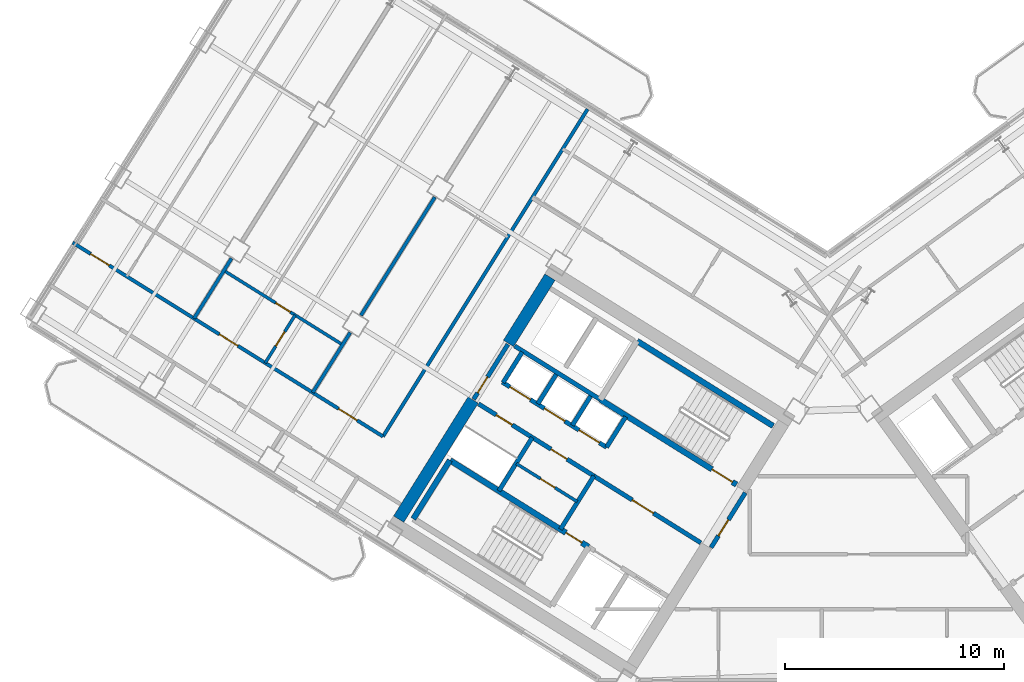
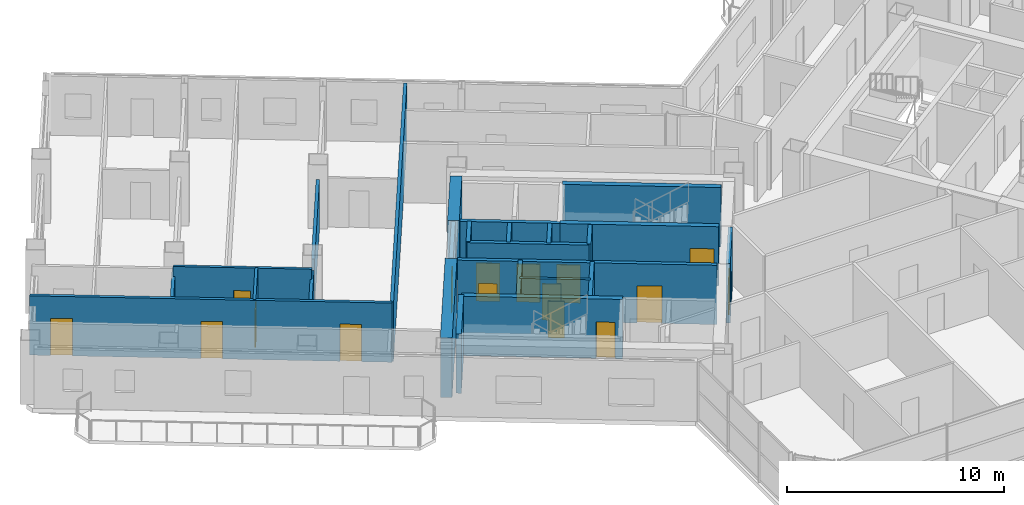
# One storey, part 12 of 21: 26 walls, 16 doors, 16 openings.
"""IFC4 building model written with IfcOpenShell, lengths in metres."""

from ifc_helpers import new_model, si_unit, direction, frame, frame_2d, origin, place, context, subcontext, project, spatial, rectangle, extrude, source, transform, mapped, material, layer, layer_set, type_object, element, fill, save


model = new_model("IFC4")

# Units and contexts
model_context = context("Model", 3, precision=1e-05, world=origin(), true_north=direction((0.0, 1.0)))
body_context = subcontext(model_context, "Body", "Model", "MODEL_VIEW")
ifc_project = project(units=[si_unit("LENGTHUNIT", "METRE"), si_unit("AREAUNIT", "SQUARE_METRE"), si_unit("VOLUMEUNIT", "CUBIC_METRE"), si_unit("PLANEANGLEUNIT", "RADIAN"), si_unit("MASSUNIT", "GRAM", prefix="KILO")], contexts=[model_context])

# Site, building, storey
site_placement = place(None, origin())
site = spatial("IfcSite", under=ifc_project, at=site_placement, CompositionType="ELEMENT")
building_placement = place(site_placement, origin())
building = spatial("IfcBuilding", under=site, at=building_placement, Name="Tlacorven Tower", CompositionType="ELEMENT")
storey_placement = place(building_placement, frame((0.0, 0.0, 105.300048828125)))
storey = spatial("IfcBuildingStorey", under=building, at=storey_placement, Name="L26", CompositionType="ELEMENT", Elevation=105.300048828125)

# Walls
ifc_material_1 = material(Name="Concrete C60/75", Category="concrete")
ifc_layer_1 = layer(ifc_material_1, 0.550048828125)
ifc_layer_set_1 = layer_set([ifc_layer_1], Name="Concrete C60/75")
wall_type_1 = type_object("IfcWallType", Name="WL-COR-550", PredefinedType="SHEAR", material=ifc_layer_set_1)
wall_1_placement = place(storey_placement, frame((29.517333984375, 30.59423828125, 0.0), z_axis=(0.0, 0.0, 1.0), x_axis=(-0.529906864564, -0.848055844204, 0.0)))
element("IfcWall", 1, at=wall_1_placement, inside=storey, type_object=wall_type_1, Name="L26 W core end wall E2.1", PredefinedType="SHEAR", context=body_context, shape_type="SweptSolid", body=[
    extrude(rectangle(XDim=3.5751953125, YDim=0.550048828125, at=frame_2d((1.78759765625, 0.0))), origin(), (0.0, 0.0, 1.0), 3.349853515625),
])
wall_2_placement = place(storey_placement, frame((26.006591796875, 24.975830078125, 0.0), z_axis=(0.0, 0.0, 1.0), x_axis=(-0.529923795287, -0.848045264823, 0.0)))
element("IfcWall", 2, at=wall_2_placement, inside=storey, type_object=wall_type_1, Name="L26 W core end wall E2.2", PredefinedType="SHEAR", context=body_context, shape_type="SweptSolid", body=[
    extrude(rectangle(XDim=6.425048828125, YDim=0.550048828125, at=frame_2d((3.21240234375, 0.0))), origin(), (0.0, 0.0, 1.0), 3.349853515625),
])
ifc_material_2 = material(Name="Gypsum plasterboard acoustic partition", Category="gypsum")
ifc_layer_2 = layer(ifc_material_2, 0.159912109375)
ifc_layer_set_2 = layer_set([ifc_layer_2], Name="Gypsum plasterboard acoustic partition")
wall_type_2 = type_object("IfcWallType", Name="WL-DEM-160", PredefinedType="PARTITIONING", material=ifc_layer_set_2)
wall_3_placement = place(storey_placement, frame((31.238525390625, 38.27392578125, 0.0), z_axis=(0.0, 0.0, 1.0), x_axis=(-0.529918119251, -0.84804881162, 0.0)))
element("IfcWall", 3, at=wall_3_placement, inside=storey, type_object=wall_type_2, Name="L26 partition 52", PredefinedType="PARTITIONING", context=body_context, shape_type="SweptSolid", body=[
    extrude(rectangle(XDim=17.64990234375, YDim=0.159912109375, at=frame_2d((8.824951171875, 0.0))), origin(), (0.0, 0.0, 1.0), 3.33984375),
])

# Wall, openings, doors
wall_4_placement = place(storey_placement, frame((21.885498046875, 23.305908203125, 0.0), z_axis=(0.0, 0.0, 1.0), x_axis=(-0.848052408131, 0.529912363569, 0.0)))
wall_4 = element("IfcWall", 4, at=wall_4_placement, inside=storey, type_object=wall_type_2, Name="L26 Wing W Corridor South Wall", PredefinedType="PARTITIONING", context=body_context, shape_type="SweptSolid", body=[
    extrude(rectangle(XDim=16.72998046875, YDim=0.159912109375, at=frame_2d((8.364990234375, 0.0))), origin(), (0.0, 0.0, 1.0), 3.33984375),
])
opening_1_placement = place(wall_4_placement, frame((1.39501953125, 0.0, 0.0)))
opening_1 = element("IfcOpeningElement", 5, at=opening_1_placement, cuts=wall_4, Name="Opening D11", PredefinedType="OPENING", context=body_context, shape_type="SweptSolid", body=[
    extrude(rectangle(XDim=1.0, YDim=2.10009765625, at=frame_2d((0.5, 1.050048828125))), frame((0.0, 0.08984375, 0.0), z_axis=(0.0, -1.0, 0.0), x_axis=(1.0, 0.0, 0.0)), (0.0, 0.0, 1.0), 0.179931640625),
])
opening_2_placement = place(wall_4_placement, frame((7.820068359375, 0.0, 0.0)))
opening_2 = element("IfcOpeningElement", 6, at=opening_2_placement, cuts=wall_4, Name="Opening D11", PredefinedType="OPENING", context=body_context, shape_type="SweptSolid", body=[
    extrude(rectangle(XDim=1.0, YDim=2.10009765625, at=frame_2d((0.5, 1.050048828125))), frame((0.0, 0.08984375, 0.0), z_axis=(0.0, -1.0, 0.0), x_axis=(1.0, 0.0, 0.0)), (0.0, 0.0, 1.0), 0.179931640625),
])
opening_3_placement = place(wall_4_placement, frame((14.760009765625, 0.0, 0.0)))
opening_3 = element("IfcOpeningElement", 7, at=opening_3_placement, cuts=wall_4, Name="Opening D11", PredefinedType="OPENING", context=body_context, shape_type="SweptSolid", body=[
    extrude(rectangle(XDim=1.0, YDim=2.10009765625, at=frame_2d((0.5, 1.050048828125))), frame((0.0, 0.08984375, 0.0), z_axis=(0.0, -1.0, 0.0), x_axis=(1.0, 0.0, 0.0)), (0.0, 0.0, 1.0), 0.179931640625),
])
ifc_material_3 = material(Name="Fire-rated steel door assembly", Category="steel")
door_type_1 = type_object("IfcDoorType", Name="DR-FLT-FD60-1000", OperationType="NOTDEFINED", PredefinedType="DOOR", material=ifc_material_3)
shared_shape_1 = source(origin(), body_context, "Body", "SweptSolid", [
    extrude(rectangle(XDim=1.0, YDim=2.10009765625, at=frame_2d((0.5, 1.050048828125))), frame((0.0, 0.02490234375, 0.0), z_axis=(0.0, -1.0, 0.0), x_axis=(1.0, 0.0, 0.0)), (0.0, 0.0, 1.0), 0.050048828125),
])
door_1_placement = place(opening_1_placement, origin())
door_1 = element("IfcDoor", 8, at=door_1_placement, inside=storey, type_object=door_type_1, Name="L26 door 027", OperationType="SINGLE_SWING_RIGHT", OverallHeight=2.10009765625, OverallWidth=1.0, PredefinedType="DOOR", context=body_context, shape_type="MappedRepresentation", body=[
    mapped(shared_shape_1, transform((0.0, 0.0, 0.0), scale=1.0)),
])
fill(opening_1, door_1)
door_2_placement = place(opening_2_placement, origin())
door_2 = element("IfcDoor", 9, at=door_2_placement, inside=storey, type_object=door_type_1, Name="L26 door 030", OperationType="SINGLE_SWING_LEFT", OverallHeight=2.10009765625, OverallWidth=1.0, PredefinedType="DOOR", context=body_context, shape_type="MappedRepresentation", body=[
    mapped(shared_shape_1, transform((0.0, 0.0, 0.0), scale=1.0)),
])
fill(opening_2, door_2)
door_3_placement = place(opening_3_placement, origin())
door_3 = element("IfcDoor", 10, at=door_3_placement, inside=storey, type_object=door_type_1, Name="L26 door 034", OperationType="SINGLE_SWING_LEFT", OverallHeight=2.10009765625, OverallWidth=1.0, PredefinedType="DOOR", context=body_context, shape_type="MappedRepresentation", body=[
    mapped(shared_shape_1, transform((0.0, 0.0, 0.0), scale=1.0)),
])
fill(opening_3, door_3)

# Walls
wall_5_placement = place(storey_placement, frame((24.255615234375, 34.2509765625, 0.0), z_axis=(0.0, 0.0, 1.0), x_axis=(-0.529919772691, -0.848047778437, 0.0)))
element("IfcWall", 11, at=wall_5_placement, inside=storey, type_object=wall_type_2, Name="L26 WS Demising Wall 1", PredefinedType="PARTITIONING", context=body_context, shape_type="SweptSolid", body=[
    extrude(rectangle(XDim=6.375732421875, YDim=0.159912109375, at=frame_2d((3.18798828125, 0.0))), origin(), (0.0, 0.0, 1.0), 2.77490234375),
])
wall_6_placement = place(storey_placement, frame((20.38720703125, 28.060302734375, 0.0), z_axis=(0.0, 0.0, 1.0), x_axis=(-0.529890499457, -0.848066069705, 0.0)))
element("IfcWall", 12, at=wall_6_placement, inside=storey, type_object=wall_type_2, Name="L26 WS Demising Wall 1", PredefinedType="PARTITIONING", context=body_context, shape_type="SweptSolid", body=[
    extrude(rectangle(XDim=3.238037109375, YDim=0.159912109375, at=frame_2d((1.619140625, 0.0))), origin(), (0.0, 0.0, 1.0), 2.77490234375),
])
wall_7_placement = place(storey_placement, frame((14.959716796875, 31.45166015625, 0.0), z_axis=(0.0, 0.0, 1.0), x_axis=(-0.529924383291, -0.848044897393, 0.0)))
element("IfcWall", 13, at=wall_7_placement, inside=storey, type_object=wall_type_2, Name="L26 WS Demising Wall 2", PredefinedType="PARTITIONING", context=body_context, shape_type="SweptSolid", body=[
    extrude(rectangle(XDim=3.23779296875, YDim=0.159912109375, at=frame_2d((1.618896484375, 0.0))), origin(), (0.0, 0.0, 1.0), 2.77490234375),
])

# Wall, opening, door
ifc_material_4 = material(Name="Moisture-resistant gypsum plumbing wall", Category="gypsum")
ifc_layer_3 = layer(ifc_material_4, 0.139892578125)
ifc_layer_set_3 = layer_set([ifc_layer_3], Name="Moisture-resistant gypsum plumbing wall")
wall_type_3 = type_object("IfcWallType", Name="WL-PLM-140", PredefinedType="PLUMBINGWALL", material=ifc_layer_set_3)
wall_8_placement = place(storey_placement, frame((30.766357421875, 20.3271484375, 0.0), z_axis=(0.0, 0.0, 1.0), x_axis=(-0.848052663127, 0.529911955482, 0.0)))
wall_8 = element("IfcWall", 14, at=wall_8_placement, inside=storey, type_object=wall_type_3, Name="L26 partition 23", PredefinedType="PLUMBINGWALL", context=body_context, shape_type="SweptSolid", body=[
    extrude(rectangle(XDim=3.27978515625, YDim=0.139892578125, at=frame_2d((1.639892578125, 0.0))), origin(), (0.0, 0.0, 1.0), 3.33984375),
])
opening_4_placement = place(wall_8_placement, frame((1.199951171875, 0.0, 0.0)))
opening_4 = element("IfcOpeningElement", 15, at=opening_4_placement, cuts=wall_8, Name="Opening D22", PredefinedType="OPENING", context=body_context, shape_type="SweptSolid", body=[
    extrude(rectangle(XDim=0.780029296875, YDim=2.050048828125, at=frame_2d((0.39013671875, 1.02490234375))), frame((0.0, 0.080078125, 0.0), z_axis=(0.0, -1.0, 0.0), x_axis=(1.0, 0.0, 0.0)), (0.0, 0.0, 1.0), 0.159912109375),
])
ifc_material_5 = material(Name="Powder-coated aluminium and timber door", Category="wood")
door_type_2 = type_object("IfcDoorType", Name="DR-INT-WET-0780", OperationType="NOTDEFINED", PredefinedType="DOOR", material=ifc_material_5)
shared_shape_2 = source(origin(), body_context, "Body", "SweptSolid", [
    extrude(rectangle(XDim=0.780029296875, YDim=2.050048828125, at=frame_2d((0.39013671875, 1.02490234375))), frame((0.0, 0.02490234375, 0.0), z_axis=(0.0, -1.0, 0.0), x_axis=(1.0, 0.0, 0.0)), (0.0, 0.0, 1.0), 0.050048828125),
])
door_4_placement = place(opening_4_placement, origin())
door_4 = element("IfcDoor", 16, at=door_4_placement, inside=storey, type_object=door_type_2, Name="L26 door 011", OperationType="SINGLE_SWING_LEFT", OverallHeight=2.050048828125, OverallWidth=0.780029296875, PredefinedType="DOOR", context=body_context, shape_type="MappedRepresentation", body=[
    mapped(shared_shape_2, transform((0.0, 0.0, 0.0), scale=1.0)),
])
fill(opening_4, door_4)

wall_9_placement = place(storey_placement, frame((20.03857421875, 27.502197265625, 0.0), z_axis=(0.0, 0.0, 1.0), x_axis=(-0.848039019877, 0.529933789039, 0.0)))
wall_9 = element("IfcWall", 17, at=wall_9_placement, inside=storey, type_object=wall_type_3, Name="L26 partition 61", PredefinedType="PLUMBINGWALL", context=body_context, shape_type="SweptSolid", body=[
    extrude(rectangle(XDim=6.400146484375, YDim=0.139892578125, at=frame_2d((3.2001953125, 0.0))), origin(), (0.0, 0.0, 1.0), 3.33984375),
])
opening_5_placement = place(wall_9_placement, frame((2.823974609375, 0.0, 0.0)))
opening_5 = element("IfcOpeningElement", 18, at=opening_5_placement, cuts=wall_9, Name="Opening D22", PredefinedType="OPENING", context=body_context, shape_type="SweptSolid", body=[
    extrude(rectangle(XDim=0.780029296875, YDim=2.050048828125, at=frame_2d((0.39013671875, 1.02490234375))), frame((0.0, 0.080078125, 0.0), z_axis=(0.0, -1.0, 0.0), x_axis=(1.0, 0.0, 0.0)), (0.0, 0.0, 1.0), 0.159912109375),
])
door_5_placement = place(opening_5_placement, origin())
door_5 = element("IfcDoor", 19, at=door_5_placement, inside=storey, type_object=door_type_2, Name="L26 door 031", OperationType="SINGLE_SWING_RIGHT", OverallHeight=2.050048828125, OverallWidth=0.780029296875, PredefinedType="DOOR", context=body_context, shape_type="MappedRepresentation", body=[
    mapped(shared_shape_2, transform((0.0, 0.0, 0.0), scale=1.0)),
])
fill(opening_5, door_5)

wall_10_placement = place(storey_placement, frame((17.867431640625, 28.85888671875, 0.0), z_axis=(0.0, 0.0, 1.0), x_axis=(-0.529913878929, -0.848051461244, 0.0)))
wall_10 = element("IfcWall", 20, at=wall_10_placement, inside=storey, type_object=wall_type_3, Name="L26 partition 62", PredefinedType="PLUMBINGWALL", context=body_context, shape_type="SweptSolid", body=[
    extrude(rectangle(XDim=2.580078125, YDim=0.139892578125, at=frame_2d((1.2900390625, 0.0))), origin(), (0.0, 0.0, 1.0), 3.33984375),
])
opening_6_placement = place(wall_10_placement, frame((0.89990234375, 0.0, 0.0)))
opening_6 = element("IfcOpeningElement", 21, at=opening_6_placement, cuts=wall_10, Name="Opening D22", PredefinedType="OPENING", context=body_context, shape_type="SweptSolid", body=[
    extrude(rectangle(XDim=0.780029296875, YDim=2.050048828125, at=frame_2d((0.39013671875, 1.02490234375))), frame((0.0, 0.080078125, 0.0), z_axis=(0.0, -1.0, 0.0), x_axis=(1.0, 0.0, 0.0)), (0.0, 0.0, 1.0), 0.159912109375),
])
door_6_placement = place(opening_6_placement, origin())
door_6 = element("IfcDoor", 22, at=door_6_placement, inside=storey, type_object=door_type_2, Name="L26 door 032", OperationType="SINGLE_SWING_LEFT", OverallHeight=2.050048828125, OverallWidth=0.780029296875, PredefinedType="DOOR", context=body_context, shape_type="MappedRepresentation", body=[
    mapped(shared_shape_2, transform((0.0, 0.0, 0.0), scale=1.0)),
])
fill(opening_6, door_6)

ifc_material_6 = material(Name="Concrete C40/50", Category="concrete")
ifc_layer_4 = layer(ifc_material_6, 0.199951171875)
ifc_layer_set_4 = layer_set([ifc_layer_4], Name="Concrete C40/50")
wall_type_4 = type_object("IfcWallType", Name="WL-SHF-200", PredefinedType="STANDARD", material=ifc_layer_set_4)
wall_11_placement = place(storey_placement, frame((36.416748046875, 18.447265625, 0.0), z_axis=(0.0, 0.0, 1.0), x_axis=(-0.848064879198, 0.529892404805, 0.0)))
wall_11 = element("IfcWall", 23, at=wall_11_placement, inside=storey, type_object=wall_type_4, Name="L26 Core W Smoke Lobby Wall", PredefinedType="STANDARD", context=body_context, shape_type="SweptSolid", body=[
    extrude(rectangle(XDim=5.76806640625, YDim=0.199951171875, at=frame_2d((2.884033203125, 0.0))), origin(), (0.0, 0.0, 1.0), 3.33984375),
])
opening_7_placement = place(wall_11_placement, frame((2.548095703125, 0.0, 0.0)))
opening_7 = element("IfcOpeningElement", 24, at=opening_7_placement, cuts=wall_11, Name="Opening D09", PredefinedType="OPENING", context=body_context, shape_type="SweptSolid", body=[
    extrude(rectangle(XDim=1.14990234375, YDim=2.10009765625, at=frame_2d((0.574951171875, 1.050048828125))), frame((0.0, 0.10986328125, 0.0), z_axis=(0.0, -1.0, 0.0), x_axis=(1.0, 0.0, 0.0)), (0.0, 0.0, 1.0), 0.219970703125),
])
door_type_3 = type_object("IfcDoorType", Name="DR-FFL-FD60-1150", OperationType="NOTDEFINED", PredefinedType="DOOR", material=ifc_material_3)
shared_shape_3 = source(origin(), body_context, "Body", "SweptSolid", [
    extrude(rectangle(XDim=1.14990234375, YDim=2.10009765625, at=frame_2d((0.574951171875, 1.050048828125))), frame((0.0, 0.02490234375, 0.0), z_axis=(0.0, -1.0, 0.0), x_axis=(1.0, 0.0, 0.0)), (0.0, 0.0, 1.0), 0.050048828125),
])
door_7_placement = place(opening_7_placement, origin())
door_7 = element("IfcDoor", 25, at=door_7_placement, inside=storey, type_object=door_type_3, Name="L26 Firefighting Lobby W Fire Door", OperationType="SINGLE_SWING_RIGHT", OverallHeight=2.10009765625, OverallWidth=1.14990234375, PredefinedType="DOOR", context=body_context, shape_type="MappedRepresentation", body=[
    mapped(shared_shape_3, transform((0.0, 0.0, 0.0), scale=1.0)),
])
fill(opening_7, door_7)

# Wall
wall_12_placement = place(storey_placement, frame((31.82177734375, 24.99755859375, 0.0), z_axis=(0.0, 0.0, 1.0), x_axis=(-0.848036912365, 0.52993716162, 0.0)))
element("IfcWall", 26, at=wall_12_placement, inside=storey, type_object=wall_type_4, Name="L26 Core W South Lift Shaft Wall", PredefinedType="STANDARD", context=body_context, shape_type="SweptSolid", body=[
    extrude(rectangle(XDim=4.617919921875, YDim=0.199951171875, at=frame_2d((2.30908203125, 0.0))), origin(), (0.0, 0.0, 1.0), 3.33984375),
])

# Wall, openings, doors
wall_13_placement = place(storey_placement, frame((32.108154296875, 22.81396484375, 0.0), z_axis=(0.0, 0.0, 1.0), x_axis=(-0.848042229521, 0.529928652696, 0.0)))
wall_13 = element("IfcWall", 27, at=wall_13_placement, inside=storey, type_object=wall_type_4, Name="L26 partition 11", PredefinedType="STANDARD", context=body_context, shape_type="SweptSolid", body=[
    extrude(rectangle(XDim=5.6201171875, YDim=0.199951171875, at=frame_2d((2.81005859375, 0.0))), origin(), (0.0, 0.0, 1.0), 3.33984375),
])
opening_8_placement = place(wall_13_placement, frame((0.389892578125, 0.0, 0.0)))
opening_8 = element("IfcOpeningElement", 28, at=opening_8_placement, cuts=wall_13, Name="Opening LD01", PredefinedType="OPENING", context=body_context, shape_type="SweptSolid", body=[
    extrude(rectangle(XDim=1.10009765625, YDim=2.14990234375, at=frame_2d((0.550048828125, 1.074951171875))), frame((0.0, 0.10986328125, 0.0), z_axis=(0.0, -1.0, 0.0), x_axis=(1.0, 0.0, 0.0)), (0.0, 0.0, 1.0), 0.219970703125),
])
opening_9_placement = place(wall_13_placement, frame((2.25, 0.0, 0.0)))
opening_9 = element("IfcOpeningElement", 29, at=opening_9_placement, cuts=wall_13, Name="Opening LD01", PredefinedType="OPENING", context=body_context, shape_type="SweptSolid", body=[
    extrude(rectangle(XDim=1.10009765625, YDim=2.14990234375, at=frame_2d((0.550048828125, 1.074951171875))), frame((0.0, 0.10986328125, 0.0), z_axis=(0.0, -1.0, 0.0), x_axis=(1.0, 0.0, 0.0)), (0.0, 0.0, 1.0), 0.219970703125),
])
opening_10_placement = place(wall_13_placement, frame((4.110107421875, 0.0, 0.0)))
opening_10 = element("IfcOpeningElement", 30, at=opening_10_placement, cuts=wall_13, Name="Opening LD01", PredefinedType="OPENING", context=body_context, shape_type="SweptSolid", body=[
    extrude(rectangle(XDim=1.10009765625, YDim=2.14990234375, at=frame_2d((0.550048828125, 1.074951171875))), frame((0.0, 0.10986328125, 0.0), z_axis=(0.0, -1.0, 0.0), x_axis=(1.0, 0.0, 0.0)), (0.0, 0.0, 1.0), 0.219970703125),
])
door_type_4 = type_object("IfcDoorType", Name="DR-LFT-SLID-1100", OperationType="DOUBLE_DOOR_SLIDING", PredefinedType="DOOR", material=ifc_material_3)
shared_shape_4 = source(origin(), body_context, "Body", "SweptSolid", [
    extrude(rectangle(XDim=1.10009765625, YDim=2.14990234375, at=frame_2d((0.550048828125, 1.074951171875))), frame((0.0, 0.02490234375, 0.0), z_axis=(0.0, -1.0, 0.0), x_axis=(1.0, 0.0, 0.0)), (0.0, 0.0, 1.0), 0.050048828125),
])
door_8_placement = place(opening_8_placement, origin())
door_8 = element("IfcDoor", 31, at=door_8_placement, inside=storey, type_object=door_type_4, Name="L26 Lift PL-M1 Sliding Landing Door", OperationType="DOUBLE_DOOR_SLIDING", OverallHeight=2.14990234375, OverallWidth=1.10009765625, PredefinedType="DOOR", context=body_context, shape_type="MappedRepresentation", body=[
    mapped(shared_shape_4, transform((0.0, 0.0, 0.0), scale=1.0)),
])
fill(opening_8, door_8)
door_9_placement = place(opening_9_placement, origin())
door_9 = element("IfcDoor", 32, at=door_9_placement, inside=storey, type_object=door_type_4, Name="L26 Lift PL-M2 Sliding Landing Door", OperationType="DOUBLE_DOOR_SLIDING", OverallHeight=2.14990234375, OverallWidth=1.10009765625, PredefinedType="DOOR", context=body_context, shape_type="MappedRepresentation", body=[
    mapped(shared_shape_4, transform((0.0, 0.0, 0.0), scale=1.0)),
])
fill(opening_9, door_9)
door_10_placement = place(opening_10_placement, origin())
door_10 = element("IfcDoor", 33, at=door_10_placement, inside=storey, type_object=door_type_4, Name="L26 Lift PL-M3 Sliding Landing Door", OperationType="DOUBLE_DOOR_SLIDING", OverallHeight=2.14990234375, OverallWidth=1.10009765625, PredefinedType="DOOR", context=body_context, shape_type="MappedRepresentation", body=[
    mapped(shared_shape_4, transform((0.0, 0.0, 0.0), scale=1.0)),
])
fill(opening_10, door_10)

# Walls
wall_14_placement = place(storey_placement, frame((32.982421875, 24.21337890625, 0.0), z_axis=(0.0, 0.0, 1.0), x_axis=(-0.529839334948, -0.84809803628, 0.0)))
element("IfcWall", 34, at=wall_14_placement, inside=storey, type_object=wall_type_4, Name="L26 partition 12", PredefinedType="STANDARD", context=body_context, shape_type="SweptSolid", body=[
    extrude(rectangle(XDim=1.650146484375, YDim=0.199951171875, at=frame_2d((0.8251953125, 0.0))), origin(), (0.0, 0.0, 1.0), 3.33984375),
])
wall_15_placement = place(storey_placement, frame((28.250244140625, 27.170166015625, 0.0), z_axis=(0.0, 0.0, 1.0), x_axis=(-0.529905827651, -0.848056492117, 0.0)))
element("IfcWall", 35, at=wall_15_placement, inside=storey, type_object=wall_type_4, Name="L26 partition 13", PredefinedType="STANDARD", context=body_context, shape_type="SweptSolid", body=[
    extrude(rectangle(XDim=1.64990234375, YDim=0.199951171875, at=frame_2d((0.824951171875, 0.0))), origin(), (0.0, 0.0, 1.0), 3.33984375),
])
for number, where, z_axis, x_axis, name in (
    (36, (31.378662109375, 25.156494140625, 0.0), (0.0, 0.0, 1.0), (-0.529998940003, -0.847998304005, 0.0), "L26 partition 18"),
    (37, (29.80126953125, 26.14208984375, 0.0), (0.0, 0.0, 1.0), (-0.529998940003, -0.847998304005, 0.0), "L26 partition 19"),
):
    element("IfcWall", number, at=place(storey_placement, frame(where, z_axis=z_axis, x_axis=x_axis)), inside=storey, type_object=wall_type_4, Name=name, PredefinedType="STANDARD", context=body_context, shape_type="SweptSolid", body=[
        extrude(rectangle(XDim=1.580078125, YDim=0.199951171875, at=frame_2d((0.7900390625, 0.0))), origin(), (0.0, 0.0, 1.0), 3.33984375),
    ])
for number, where, z_axis, x_axis, name in (
    (38, (31.525146484375, 21.503662109375, 0.0), (0.0, 0.0, 1.0), (-0.529907497854, -0.848055448493, 0.0), "L26 partition 20"),
    (39, (28.709716796875, 23.26318359375, 0.0), (0.0, 0.0, 1.0), (-0.529907497854, -0.848055448493, 0.0), "L26 partition 21"),
):
    element("IfcWall", number, at=place(storey_placement, frame(where, z_axis=z_axis, x_axis=x_axis)), inside=storey, type_object=wall_type_4, Name=name, PredefinedType="STANDARD", context=body_context, shape_type="SweptSolid", body=[
        extrude(rectangle(XDim=2.8798828125, YDim=0.199951171875, at=frame_2d((1.43994140625, 0.0))), origin(), (0.0, 0.0, 1.0), 3.33984375),
    ])

# Wall, openings, doors
wall_16_placement = place(storey_placement, frame((31.525146484375, 21.503662109375, 0.0), z_axis=(0.0, 0.0, 1.0), x_axis=(-0.848040211232, 0.529931882541, 0.0)))
wall_16 = element("IfcWall", 40, at=wall_16_placement, inside=storey, type_object=wall_type_4, Name="L26 Core W North Service Wall", PredefinedType="STANDARD", context=body_context, shape_type="SweptSolid", body=[
    extrude(rectangle(XDim=6.218017578125, YDim=0.199951171875, at=frame_2d((3.10888671875, 0.0))), origin(), (0.0, 0.0, 1.0), 3.33984375),
])
opening_11_placement = place(wall_16_placement, frame((4.39990234375, 0.0, 0.0)))
opening_11 = element("IfcOpeningElement", 41, at=opening_11_placement, cuts=wall_16, Name="Opening D19", PredefinedType="OPENING", context=body_context, shape_type="SweptSolid", body=[
    extrude(rectangle(XDim=0.860107421875, YDim=2.050048828125, at=frame_2d((0.43017578125, 1.02490234375))), frame((0.0, 0.10986328125, 0.0), z_axis=(0.0, -1.0, 0.0), x_axis=(1.0, 0.0, 0.0)), (0.0, 0.0, 1.0), 0.219970703125),
])
opening_12_placement = place(wall_16_placement, frame((1.449951171875, 0.0, 0.0)))
opening_12 = element("IfcOpeningElement", 42, at=opening_12_placement, cuts=wall_16, Name="Opening D19", PredefinedType="OPENING", context=body_context, shape_type="SweptSolid", body=[
    extrude(rectangle(XDim=0.860107421875, YDim=2.050048828125, at=frame_2d((0.43017578125, 1.02490234375))), frame((0.0, 0.10986328125, 0.0), z_axis=(0.0, -1.0, 0.0), x_axis=(1.0, 0.0, 0.0)), (0.0, 0.0, 1.0), 0.219970703125),
])
door_type_5 = type_object("IfcDoorType", Name="DR-RSR-FD60-0860", OperationType="NOTDEFINED", PredefinedType="DOOR", material=ifc_material_3)
shared_shape_5 = source(origin(), body_context, "Body", "SweptSolid", [
    extrude(rectangle(XDim=0.860107421875, YDim=2.050048828125, at=frame_2d((0.43017578125, 1.02490234375))), frame((0.0, 0.02490234375, 0.0), z_axis=(0.0, -1.0, 0.0), x_axis=(1.0, 0.0, 0.0)), (0.0, 0.0, 1.0), 0.050048828125),
])
door_11_placement = place(opening_11_placement, frame((0.860107421875, 0.0, 0.0), z_axis=(0.0, 0.0, 1.0), x_axis=(-1.0, 0.0, 0.0)))
door_11 = element("IfcDoor", 43, at=door_11_placement, inside=storey, type_object=door_type_5, Name="L26 Electrical Riser Access Door W", OperationType="SINGLE_SWING_LEFT", OverallHeight=2.050048828125, OverallWidth=0.860107421875, PredefinedType="DOOR", context=body_context, shape_type="MappedRepresentation", body=[
    mapped(shared_shape_5, transform((0.0, 0.0, 0.0), scale=1.0)),
])
fill(opening_11, door_11)
door_12_placement = place(opening_12_placement, frame((0.860107421875, 0.0, 0.0), z_axis=(0.0, 0.0, 1.0), x_axis=(-1.0, 0.0, 0.0)))
door_12 = element("IfcDoor", 44, at=door_12_placement, inside=storey, type_object=door_type_5, Name="L26 Cleaner Store Access Door W", OperationType="SINGLE_SWING_RIGHT", OverallHeight=2.050048828125, OverallWidth=0.860107421875, PredefinedType="DOOR", context=body_context, shape_type="MappedRepresentation", body=[
    mapped(shared_shape_5, transform((0.0, 0.0, 0.0), scale=1.0)),
])
fill(opening_12, door_12)

# Wall, opening, door
wall_17_placement = place(storey_placement, frame((27.59619140625, 27.52001953125, 0.0), z_axis=(0.0, 0.0, 1.0), x_axis=(-0.529865479138, -0.848081702443, 0.0)))
wall_17 = element("IfcWall", 45, at=wall_17_placement, inside=storey, type_object=wall_type_4, Name="L26 partition 49", PredefinedType="STANDARD", context=body_context, shape_type="SweptSolid", body=[
    extrude(rectangle(XDim=2.9599609375, YDim=0.199951171875, at=frame_2d((1.47998046875, 0.0))), origin(), (0.0, 0.0, 1.0), 3.33984375),
])
opening_13_placement = place(wall_17_placement, frame((1.760009765625, 0.0, 0.0)))
opening_13 = element("IfcOpeningElement", 46, at=opening_13_placement, cuts=wall_17, Name="Opening D19", PredefinedType="OPENING", context=body_context, shape_type="SweptSolid", body=[
    extrude(rectangle(XDim=0.860107421875, YDim=2.050048828125, at=frame_2d((0.43017578125, 1.02490234375))), frame((0.0, 0.10986328125, 0.0), z_axis=(0.0, -1.0, 0.0), x_axis=(1.0, 0.0, 0.0)), (0.0, 0.0, 1.0), 0.219970703125),
])
door_13_placement = place(opening_13_placement, origin())
door_13 = element("IfcDoor", 47, at=door_13_placement, inside=storey, type_object=door_type_5, Name="L26 door 023", OperationType="SINGLE_SWING_LEFT", OverallHeight=2.050048828125, OverallWidth=0.860107421875, PredefinedType="DOOR", context=body_context, shape_type="MappedRepresentation", body=[
    mapped(shared_shape_5, transform((0.0, 0.0, 0.0), scale=1.0)),
])
fill(opening_13, door_13)

wall_18_placement = place(storey_placement, frame((38.451416015625, 20.737060546875, 0.0), z_axis=(0.0, 0.0, 1.0), x_axis=(-0.529924799939, -0.848044637038, 0.0)))
wall_18 = element("IfcWall", 48, at=wall_18_placement, inside=storey, type_object=wall_type_4, Name="L26 partition 73", PredefinedType="STANDARD", context=body_context, shape_type="SweptSolid", body=[
    extrude(rectangle(XDim=2.9599609375, YDim=0.199951171875, at=frame_2d((1.47998046875, 0.0))), origin(), (0.0, 0.0, 1.0), 3.33984375),
])
opening_14_placement = place(wall_18_placement, frame((1.4599609375, 0.0, 0.0)))
opening_14 = element("IfcOpeningElement", 49, at=opening_14_placement, cuts=wall_18, Name="Opening D19", PredefinedType="OPENING", context=body_context, shape_type="SweptSolid", body=[
    extrude(rectangle(XDim=0.860107421875, YDim=2.050048828125, at=frame_2d((0.43017578125, 1.02490234375))), frame((0.0, 0.10986328125, 0.0), z_axis=(0.0, -1.0, 0.0), x_axis=(1.0, 0.0, 0.0)), (0.0, 0.0, 1.0), 0.219970703125),
])
door_14_placement = place(opening_14_placement, frame((0.860107421875, 0.0, 0.0), z_axis=(0.0, 0.0, 1.0), x_axis=(-1.0, 0.0, 0.0)))
door_14 = element("IfcDoor", 50, at=door_14_placement, inside=storey, type_object=door_type_5, Name="L26 door 043", OperationType="SINGLE_SWING_LEFT", OverallHeight=2.050048828125, OverallWidth=0.860107421875, PredefinedType="DOOR", context=body_context, shape_type="MappedRepresentation", body=[
    mapped(shared_shape_5, transform((0.0, 0.0, 0.0), scale=1.0)),
])
fill(opening_14, door_14)

ifc_material_7 = material(Name="Concrete C50/60", Category="concrete")
ifc_layer_5 = layer(ifc_material_7, 0.260009765625)
ifc_layer_set_5 = layer_set([ifc_layer_5], Name="Concrete C50/60")
wall_type_5 = type_object("IfcWallType", Name="WL-STW-260", PredefinedType="SHEAR", material=ifc_layer_set_5)
wall_19_placement = place(storey_placement, frame((31.279541015625, 18.26123046875, 0.0), z_axis=(0.0, 0.0, 1.0), x_axis=(-0.848051618787, 0.529913626805, 0.0)))
wall_19 = element("IfcWall", 51, at=wall_19_placement, inside=storey, type_object=wall_type_5, Name="L26 Stair W1 Lobby Shear Wall", PredefinedType="SHEAR", context=body_context, shape_type="SweptSolid", body=[
    extrude(rectangle(XDim=7.4599609375, YDim=0.260009765625, at=frame_2d((3.72998046875, 0.0))), origin(), (0.0, 0.0, 1.0), 3.349853515625),
])
opening_15_placement = place(wall_19_placement, frame((0.360107421875, 0.0, 0.0)))
opening_15 = element("IfcOpeningElement", 52, at=opening_15_placement, cuts=wall_19, Name="Opening D19", PredefinedType="OPENING", context=body_context, shape_type="SweptSolid", body=[
    extrude(rectangle(XDim=0.860107421875, YDim=2.050048828125, at=frame_2d((0.43017578125, 1.02490234375))), frame((0.0, 0.14013671875, 0.0), z_axis=(0.0, -1.0, 0.0), x_axis=(1.0, 0.0, 0.0)), (0.0, 0.0, 1.0), 0.280029296875),
])
door_15_placement = place(opening_15_placement, frame((0.860107421875, 0.0, 0.0), z_axis=(0.0, 0.0, 1.0), x_axis=(-1.0, 0.0, 0.0)))
door_15 = element("IfcDoor", 53, at=door_15_placement, inside=storey, type_object=door_type_5, Name="L26 Exit Stair W1 Fire Door", OperationType="SINGLE_SWING_LEFT", OverallHeight=2.050048828125, OverallWidth=0.860107421875, PredefinedType="DOOR", context=body_context, shape_type="MappedRepresentation", body=[
    mapped(shared_shape_5, transform((0.0, 0.0, 0.0), scale=1.0)),
])
fill(opening_15, door_15)

# Walls
wall_20_placement = place(storey_placement, frame((24.944580078125, 22.2197265625, 0.0), z_axis=(0.0, 0.0, 1.0), x_axis=(-0.529908658664, -0.84805472316, 0.0)))
element("IfcWall", 54, at=wall_20_placement, inside=storey, type_object=wall_type_5, Name="L26 Stair W1 East Shear Wall", PredefinedType="SHEAR", context=body_context, shape_type="SweptSolid", body=[
    extrude(rectangle(XDim=3.16015625, YDim=0.260009765625, at=frame_2d((1.580078125, 0.0))), origin(), (0.0, 0.0, 1.0), 3.349853515625),
])
wall_21_placement = place(storey_placement, frame((39.720947265625, 23.787841796875, 0.0), z_axis=(0.0, 0.0, 1.0), x_axis=(-0.848054434086, 0.529909121291, 0.0)))
element("IfcWall", 55, at=wall_21_placement, inside=storey, type_object=wall_type_5, Name="L26 Stair W2 Far Shear Wall", PredefinedType="SHEAR", context=body_context, shape_type="SweptSolid", body=[
    extrude(rectangle(XDim=7.330078125, YDim=0.260009765625, at=frame_2d((3.6650390625, 0.0))), origin(), (0.0, 0.0, 1.0), 3.349853515625),
])

# Wall, opening, door
wall_22_placement = place(storey_placement, frame((38.04638671875, 21.10791015625, 0.0), z_axis=(0.0, 0.0, 1.0), x_axis=(-0.848054434086, 0.529909121291, 0.0)))
wall_22 = element("IfcWall", 56, at=wall_22_placement, inside=storey, type_object=wall_type_5, Name="L26 Stair W2 Lobby Shear Wall", PredefinedType="SHEAR", context=body_context, shape_type="SweptSolid", body=[
    extrude(rectangle(XDim=7.330078125, YDim=0.260009765625, at=frame_2d((3.6650390625, 0.0))), origin(), (0.0, 0.0, 1.0), 3.349853515625),
])
opening_16_placement = place(wall_22_placement, frame((0.219970703125, 0.0, 0.0)))
opening_16 = element("IfcOpeningElement", 57, at=opening_16_placement, cuts=wall_22, Name="Opening D07", PredefinedType="OPENING", context=body_context, shape_type="SweptSolid", body=[
    extrude(rectangle(XDim=1.10009765625, YDim=2.10009765625, at=frame_2d((0.550048828125, 1.050048828125))), frame((0.0, 0.14013671875, 0.0), z_axis=(0.0, -1.0, 0.0), x_axis=(1.0, 0.0, 0.0)), (0.0, 0.0, 1.0), 0.280029296875),
])
door_type_6 = type_object("IfcDoorType", Name="DR-STR-FD90-1100", OperationType="NOTDEFINED", PredefinedType="DOOR", material=ifc_material_3)
shared_shape_6 = source(origin(), body_context, "Body", "SweptSolid", [
    extrude(rectangle(XDim=1.10009765625, YDim=2.10009765625, at=frame_2d((0.550048828125, 1.050048828125))), frame((0.0, 0.02490234375, 0.0), z_axis=(0.0, -1.0, 0.0), x_axis=(1.0, 0.0, 0.0)), (0.0, 0.0, 1.0), 0.050048828125),
])
door_16_placement = place(opening_16_placement, origin())
door_16 = element("IfcDoor", 58, at=door_16_placement, inside=storey, type_object=door_type_6, Name="L26 Exit Stair W2 Fire Door", OperationType="SINGLE_SWING_LEFT", OverallHeight=2.10009765625, OverallWidth=1.10009765625, PredefinedType="DOOR", context=body_context, shape_type="MappedRepresentation", body=[
    mapped(shared_shape_6, transform((0.0, 0.0, 0.0), scale=1.0)),
])
fill(opening_16, door_16)

save(model, "model.ifc")
